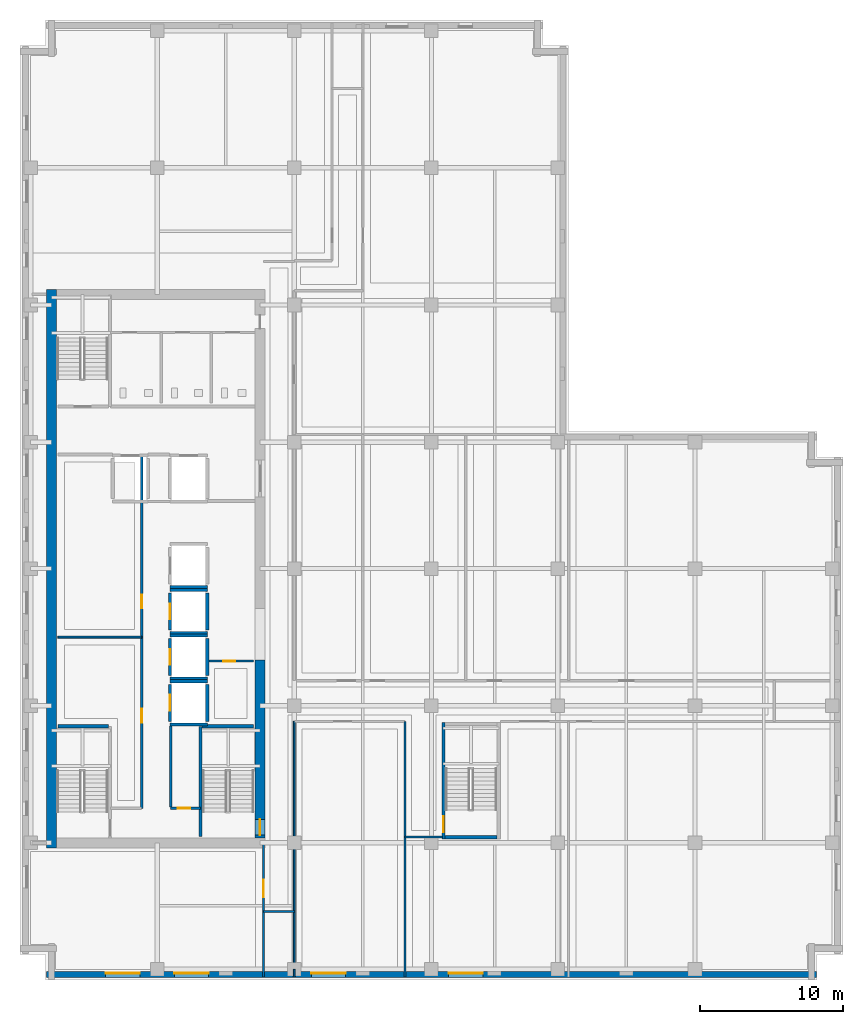
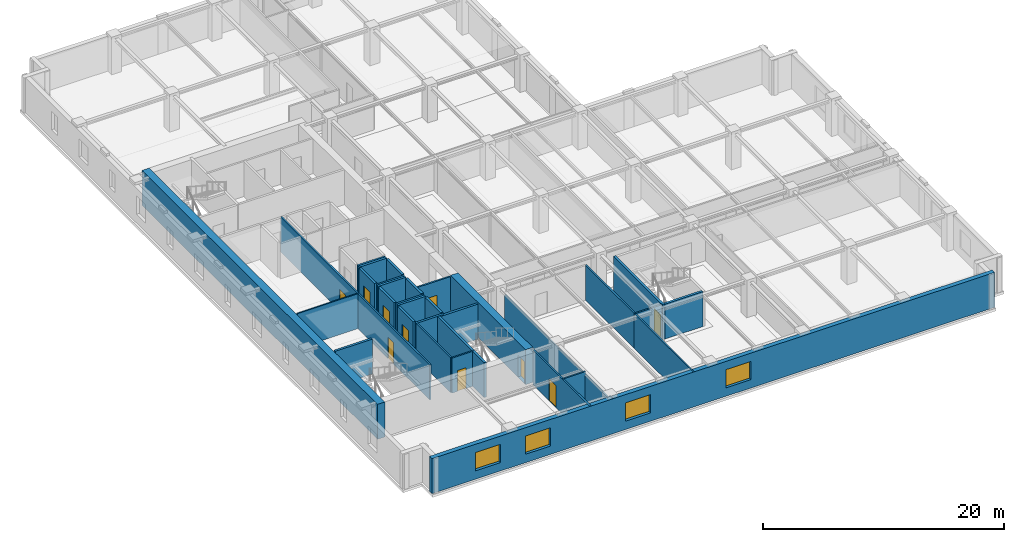
# One storey, part 4 of 13: 33 walls, 10 doors, 4 windows, 14 openings.
"""IFC4 building model written with IfcOpenShell, lengths in metres."""

from ifc_helpers import new_model, si_unit, direction, frame, frame_2d, origin, place, context, subcontext, project, spatial, rectangle, extrude, material, layer, layer_set, type_object, element, fill, save


model = new_model("IFC4")

# Units and contexts
model_context = context("Model", 3, precision=1e-05, world=origin(), true_north=direction((0.0, 1.0)))
body_context = subcontext(model_context, "Body", "Model", "MODEL_VIEW")
ifc_project = project(units=[si_unit("LENGTHUNIT", "METRE"), si_unit("AREAUNIT", "SQUARE_METRE"), si_unit("VOLUMEUNIT", "CUBIC_METRE"), si_unit("PLANEANGLEUNIT", "RADIAN"), si_unit("MASSUNIT", "GRAM", prefix="KILO")], contexts=[model_context])

# Site, building, storey
site_placement = place(None, origin())
site = spatial("IfcSite", under=ifc_project, at=site_placement, CompositionType="ELEMENT")
building_placement = place(site_placement, origin())
building = spatial("IfcBuilding", under=site, at=building_placement, Name="Norrvale University Quadrangle", CompositionType="ELEMENT")
storey_placement = place(building_placement, frame((0.0, 0.0, 178.800048828125)))
storey = spatial("IfcBuildingStorey", under=building, at=storey_placement, Name="L45", CompositionType="ELEMENT", Elevation=178.800048828125)

# Wall, openings, windows
ifc_material_1 = material(Name="Buff Norman Clay Brick Masonry", Category="masonry")
ifc_layer_1 = layer(ifc_material_1, 0.419921875, Name="Buff Norman Clay Brick Masonry")
ifc_layer_set_1 = layer_set([ifc_layer_1], Name="Buff Norman Clay Brick Masonry")
wall_type_1 = type_object("IfcWallType", Name="Wall Buff Brick 420", PredefinedType="SOLIDWALL", material=ifc_layer_set_1)
wall_1_placement = place(storey_placement, frame((1.840087890625, 0.389892578125, 0.0), z_axis=(0.0, 0.0, 1.0), x_axis=(1.0, 0.0, 0.0)))
wall_1 = element("IfcWall", 1, at=wall_1_placement, inside=storey, type_object=wall_type_1, Name="Exterior Brick Facade Wall L45-01.1", PredefinedType="SOLIDWALL", context=body_context, shape_type="SweptSolid", body=[
    extrude(rectangle(XDim=53.919921875, YDim=0.419921875, at=frame_2d((26.9599609375, 0.0))), origin(), (0.0, 0.0, 1.0), 3.5400390625),
])
opening_1_placement = place(wall_1_placement, frame((4.159912109375, 0.0, 0.85009765625)))
opening_1 = element("IfcOpeningElement", 2, at=opening_1_placement, cuts=wall_1, Name="Opening W02", PredefinedType="OPENING", context=body_context, shape_type="SweptSolid", body=[
    extrude(rectangle(XDim=2.39990234375, YDim=1.85009765625, at=frame_2d((1.199951171875, 0.925048828125))), frame((0.0, 0.221923828125, 0.0), z_axis=(0.0, -1.0, 0.0), x_axis=(1.0, 0.0, 0.0)), (0.0, 0.0, 1.0), 0.44384765625),
])
opening_2_placement = place(wall_1_placement, frame((8.9599609375, 0.0, 0.85009765625)))
opening_2 = element("IfcOpeningElement", 3, at=opening_2_placement, cuts=wall_1, Name="Opening W02", PredefinedType="OPENING", context=body_context, shape_type="SweptSolid", body=[
    extrude(rectangle(XDim=2.39990234375, YDim=1.85009765625, at=frame_2d((1.199951171875, 0.925048828125))), frame((0.0, 0.221923828125, 0.0), z_axis=(0.0, -1.0, 0.0), x_axis=(1.0, 0.0, 0.0)), (0.0, 0.0, 1.0), 0.44384765625),
])
opening_3_placement = place(wall_1_placement, frame((18.56005859375, 0.0, 0.85009765625)))
opening_3 = element("IfcOpeningElement", 4, at=opening_3_placement, cuts=wall_1, Name="Opening W02", PredefinedType="OPENING", context=body_context, shape_type="SweptSolid", body=[
    extrude(rectangle(XDim=2.39990234375, YDim=1.85009765625, at=frame_2d((1.199951171875, 0.925048828125))), frame((0.0, 0.221923828125, 0.0), z_axis=(0.0, -1.0, 0.0), x_axis=(1.0, 0.0, 0.0)), (0.0, 0.0, 1.0), 0.44384765625),
])
opening_4_placement = place(wall_1_placement, frame((28.159912109375, 0.0, 0.85009765625)))
opening_4 = element("IfcOpeningElement", 5, at=opening_4_placement, cuts=wall_1, Name="Opening W02", PredefinedType="OPENING", context=body_context, shape_type="SweptSolid", body=[
    extrude(rectangle(XDim=2.39990234375, YDim=1.85009765625, at=frame_2d((1.199951171875, 0.925048828125))), frame((0.0, 0.221923828125, 0.0), z_axis=(0.0, -1.0, 0.0), x_axis=(1.0, 0.0, 0.0)), (0.0, 0.0, 1.0), 0.44384765625),
])
ifc_material_2 = material(Name="Triple Low-E Argon Glazing", Category="glass")
window_type = type_object("IfcWindowType", Name="Window Academic 2400x2300", PartitioningType="TRIPLE_PANEL_VERTICAL", PredefinedType="WINDOW", material=ifc_material_2)
window_1_placement = place(opening_1_placement, origin())
window_1 = element("IfcWindow", 6, at=window_1_placement, inside=storey, type_object=window_type, Name="Window Academic 2400x2300 WIN-L45-E01-1-01", OverallHeight=1.85009765625, OverallWidth=2.39990234375, PartitioningType="TRIPLE_PANEL_VERTICAL", PredefinedType="WINDOW", context=body_context, shape_type="SweptSolid", body=[
    extrude(rectangle(XDim=2.39990234375, YDim=1.85009765625, at=frame_2d((1.199951171875, 0.925048828125))), frame((0.0, 0.110107421875, 0.0), z_axis=(0.0, -1.0, 0.0), x_axis=(1.0, 0.0, 0.0)), (0.0, 0.0, 1.0), 0.06005859375),
])
fill(opening_1, window_1)
window_2_placement = place(opening_2_placement, origin())
window_2 = element("IfcWindow", 7, at=window_2_placement, inside=storey, type_object=window_type, Name="Window Academic 2400x2300 WIN-L45-E01-1-02", OverallHeight=1.85009765625, OverallWidth=2.39990234375, PartitioningType="TRIPLE_PANEL_VERTICAL", PredefinedType="WINDOW", context=body_context, shape_type="SweptSolid", body=[
    extrude(rectangle(XDim=2.39990234375, YDim=1.85009765625, at=frame_2d((1.199951171875, 0.925048828125))), frame((0.0, 0.110107421875, 0.0), z_axis=(0.0, -1.0, 0.0), x_axis=(1.0, 0.0, 0.0)), (0.0, 0.0, 1.0), 0.06005859375),
])
fill(opening_2, window_2)
window_3_placement = place(opening_3_placement, origin())
window_3 = element("IfcWindow", 8, at=window_3_placement, inside=storey, type_object=window_type, Name="Window Academic 2400x2300 WIN-L45-E01-1-03", OverallHeight=1.85009765625, OverallWidth=2.39990234375, PartitioningType="TRIPLE_PANEL_VERTICAL", PredefinedType="WINDOW", context=body_context, shape_type="SweptSolid", body=[
    extrude(rectangle(XDim=2.39990234375, YDim=1.85009765625, at=frame_2d((1.199951171875, 0.925048828125))), frame((0.0, 0.110107421875, 0.0), z_axis=(0.0, -1.0, 0.0), x_axis=(1.0, 0.0, 0.0)), (0.0, 0.0, 1.0), 0.06005859375),
])
fill(opening_3, window_3)
window_4_placement = place(opening_4_placement, origin())
window_4 = element("IfcWindow", 9, at=window_4_placement, inside=storey, type_object=window_type, Name="Window Academic 2400x2300 WIN-L45-E01-1-04", OverallHeight=1.85009765625, OverallWidth=2.39990234375, PartitioningType="TRIPLE_PANEL_VERTICAL", PredefinedType="WINDOW", context=body_context, shape_type="SweptSolid", body=[
    extrude(rectangle(XDim=2.39990234375, YDim=1.85009765625, at=frame_2d((1.199951171875, 0.925048828125))), frame((0.0, 0.110107421875, 0.0), z_axis=(0.0, -1.0, 0.0), x_axis=(1.0, 0.0, 0.0)), (0.0, 0.0, 1.0), 0.06005859375),
])
fill(opening_4, window_4)

# Wall
ifc_material_3 = material(Name="Concrete C60/75", Category="concrete")
ifc_layer_2 = layer(ifc_material_3, 0.699951171875, Name="Concrete C60/75")
ifc_layer_set_2 = layer_set([ifc_layer_2], Name="Concrete C60/75")
wall_type_2 = type_object("IfcWallType", Name="Wall Core 700", PredefinedType="SHEAR", material=ifc_layer_set_2)
wall_2_placement = place(storey_placement, frame((2.199951171875, 9.25, 0.0), z_axis=(0.0, 0.0, 1.0), x_axis=(0.0, 1.0, 0.0)))
element("IfcWall", 10, at=wall_2_placement, inside=storey, type_object=wall_type_2, Name="Tower Core Shear Wall L45-W", PredefinedType="SHEAR", context=body_context, shape_type="SweptSolid", body=[
    extrude(rectangle(XDim=39.10009765625, YDim=0.699951171875, at=frame_2d((19.550048828125, 0.0))), origin(), (0.0, 0.0, 1.0), 3.5400390625),
])

# Wall, opening, door
wall_3_placement = place(storey_placement, frame((16.800048828125, 9.949951171875, 0.0), z_axis=(0.0, 0.0, 1.0), x_axis=(0.0, 1.0, 0.0)))
wall_3 = element("IfcWall", 11, at=wall_3_placement, inside=storey, type_object=wall_type_2, Name="Tower Core Shear Wall L45-E1", PredefinedType="SHEAR", context=body_context, shape_type="SweptSolid", body=[
    extrude(rectangle(XDim=12.449951171875, YDim=0.699951171875, at=frame_2d((6.22509765625, 0.0))), origin(), (0.0, 0.0, 1.0), 3.5400390625),
])
opening_5_placement = place(wall_3_placement, frame((0.18994140625, 0.0, 0.0)))
opening_5 = element("IfcOpeningElement", 12, at=opening_5_placement, cuts=wall_3, Name="Opening D02", PredefinedType="OPENING", context=body_context, shape_type="SweptSolid", body=[
    extrude(rectangle(XDim=1.10009765625, YDim=2.199951171875, at=frame_2d((0.550048828125, 1.10009765625))), frame((0.0, 0.362060546875, 0.0), z_axis=(0.0, -1.0, 0.0), x_axis=(1.0, 0.0, 0.0)), (0.0, 0.0, 1.0), 0.723876953125),
])
ifc_material_4 = material(Name="Hollow Steel 350W Fire Door", Category="steel")
door_type_1 = type_object("IfcDoorType", Name="Door Stair Exit 1100x2200", OperationType="NOTDEFINED", PredefinedType="DOOR", material=ifc_material_4)
door_1_placement = place(opening_5_placement, origin())
door_1 = element("IfcDoor", 13, at=door_1_placement, inside=storey, type_object=door_type_1, Name="Door Stair Exit 1100x2200 DR-L45-ST03", OperationType="SINGLE_SWING_LEFT", OverallHeight=2.199951171875, OverallWidth=1.10009765625, PredefinedType="DOOR", context=body_context, shape_type="SweptSolid", body=[
    extrude(rectangle(XDim=1.10009765625, YDim=2.199951171875, at=frame_2d((0.550048828125, 1.10009765625))), frame((0.0, 0.02490234375, 0.0), z_axis=(0.0, -1.0, 0.0), x_axis=(1.0, 0.0, 0.0)), (0.0, 0.0, 1.0), 0.050048828125),
])
fill(opening_5, door_1)

# Walls
ifc_material_5 = material(Name="Standard Academic Gypsum Partition")
ifc_layer_3 = layer(ifc_material_5, 0.125, Name="Standard Academic Gypsum Partition")
ifc_layer_set_3 = layer_set([ifc_layer_3], Name="Standard Academic Gypsum Partition")
wall_type_3 = type_object("IfcWallType", Name="Wall Gypsum Academic 125", PredefinedType="PARTITIONING", material=ifc_layer_set_3)
wall_4_placement = place(storey_placement, frame((2.64990234375, 24.0, 0.0), z_axis=(0.0, 0.0, 1.0), x_axis=(1.0, 0.0, 0.0)))
element("IfcWall", 14, at=wall_4_placement, inside=storey, type_object=wall_type_3, Name="Interior Partition WL-L45-REC-M", PredefinedType="PARTITIONING", context=body_context, shape_type="SweptSolid", body=[
    extrude(rectangle(XDim=5.8701171875, YDim=0.125, at=frame_2d((2.93505859375, 0.0))), origin(), (0.0, 0.0, 1.0), 3.5400390625),
])
wall_5_placement = place(storey_placement, frame((19.199951171875, 0.219970703125, 0.0), z_axis=(0.0, 0.0, 1.0), x_axis=(0.0, 1.0, 0.0)))
element("IfcWall", 15, at=wall_5_placement, inside=storey, type_object=wall_type_3, Name="Interior Partition WL-L45-SE-W0", PredefinedType="PARTITIONING", context=body_context, shape_type="SweptSolid", body=[
    extrude(rectangle(XDim=0.530029296875, YDim=0.125, at=frame_2d((0.26513671875, 0.0))), origin(), (0.0, 0.0, 1.0), 3.5400390625),
])
wall_6_placement = place(storey_placement, frame((19.199951171875, 0.75, 0.0), z_axis=(0.0, 0.0, 1.0), x_axis=(0.0, 1.0, 0.0)))
element("IfcWall", 16, at=wall_6_placement, inside=storey, type_object=wall_type_3, Name="Interior Partition WL-L45-SE-W0-B2", PredefinedType="PARTITIONING", context=body_context, shape_type="SweptSolid", body=[
    extrude(rectangle(XDim=17.35009765625, YDim=0.125, at=frame_2d((8.675048828125, 0.0))), origin(), (0.0, 0.0, 1.0), 3.23193359375),
])
wall_7_placement = place(storey_placement, frame((26.949951171875, 0.219970703125, 0.0), z_axis=(0.0, 0.0, 1.0), x_axis=(0.0, 1.0, 0.0)))
element("IfcWall", 17, at=wall_7_placement, inside=storey, type_object=wall_type_3, Name="Interior Partition WL-L45-SEP1A", PredefinedType="PARTITIONING", context=body_context, shape_type="SweptSolid", body=[
    extrude(rectangle(XDim=9.780029296875, YDim=0.125, at=frame_2d((4.89013671875, 0.0))), origin(), (0.0, 0.0, 1.0), 3.5400390625),
])

# Wall, opening, door
ifc_material_6 = material(Name="Fire-Rated Gypsum Stud Partition")
ifc_layer_4 = layer(ifc_material_6, 0.14990234375, Name="Fire-Rated Gypsum Stud Partition")
ifc_layer_set_4 = layer_set([ifc_layer_4], Name="Fire-Rated Gypsum Stud Partition")
wall_type_4 = type_object("IfcWallType", Name="Wall Gypsum Corridor 150", PredefinedType="PARTITIONING", material=ifc_layer_set_4)
wall_8_placement = place(storey_placement, frame((10.550048828125, 12.02001953125, 0.0), z_axis=(0.0, 0.0, 1.0), x_axis=(1.0, 0.0, 0.0)))
wall_8 = element("IfcWall", 18, at=wall_8_placement, inside=storey, type_object=wall_type_4, Name="Interior Partition WL-L45-SC-NR", PredefinedType="PARTITIONING", context=body_context, shape_type="SweptSolid", body=[
    extrude(rectangle(XDim=2.079833984375, YDim=0.14990234375, at=frame_2d((1.0400390625, 0.0))), origin(), (0.0, 0.0, 1.0), 3.5400390625),
])
opening_6_placement = place(wall_8_placement, frame((0.5, 0.0, 0.0)))
opening_6 = element("IfcOpeningElement", 19, at=opening_6_placement, cuts=wall_8, Name="Opening D10", PredefinedType="OPENING", context=body_context, shape_type="SweptSolid", body=[
    extrude(rectangle(XDim=0.85009765625, YDim=2.10009765625, at=frame_2d((0.425048828125, 1.050048828125))), frame((0.0, 0.0869140625, 0.0), z_axis=(0.0, -1.0, 0.0), x_axis=(1.0, 0.0, 0.0)), (0.0, 0.0, 1.0), 0.173828125),
])
ifc_material_7 = material(Name="Hollow Steel 350W Riser Fire Door", Category="steel")
door_type_2 = type_object("IfcDoorType", Name="Door Riser 850x2100", OperationType="NOTDEFINED", PredefinedType="DOOR", material=ifc_material_7)
door_2_placement = place(opening_6_placement, origin())
door_2 = element("IfcDoor", 20, at=door_2_placement, inside=storey, type_object=door_type_2, Name="Door Riser 850x2100 DR-L45-IDF", OperationType="SINGLE_SWING_RIGHT", OverallHeight=2.10009765625, OverallWidth=0.85009765625, PredefinedType="DOOR", context=body_context, shape_type="SweptSolid", body=[
    extrude(rectangle(XDim=0.85009765625, YDim=2.10009765625, at=frame_2d((0.425048828125, 1.050048828125))), frame((0.0, 0.02490234375, 0.0), z_axis=(0.0, -1.0, 0.0), x_axis=(1.0, 0.0, 0.0)), (0.0, 0.0, 1.0), 0.050048828125),
])
fill(opening_6, door_2)

# Wall
wall_9_placement = place(storey_placement, frame((10.550048828125, 12.094970703125, 0.0), z_axis=(0.0, 0.0, 1.0), x_axis=(0.0, 1.0, 0.0)))
element("IfcWall", 21, at=wall_9_placement, inside=storey, type_object=wall_type_4, Name="Interior Partition WL-L45-SC-WR", PredefinedType="PARTITIONING", context=body_context, shape_type="SweptSolid", body=[
    extrude(rectangle(XDim=5.679931640625, YDim=0.14990234375, at=frame_2d((2.83984375, 0.0))), origin(), (0.0, 0.0, 1.0), 3.5400390625),
])

# Wall, opening, door
wall_10_placement = place(storey_placement, frame((13.22509765625, 22.320068359375, 0.0), z_axis=(0.0, 0.0, 1.0), x_axis=(1.0, 0.0, 0.0)))
wall_10 = element("IfcWall", 22, at=wall_10_placement, inside=storey, type_object=wall_type_4, Name="Interior Partition WL-L45-JAN-N", PredefinedType="PARTITIONING", context=body_context, shape_type="SweptSolid", body=[
    extrude(rectangle(XDim=3.119873046875, YDim=0.14990234375, at=frame_2d((1.56005859375, 0.0))), origin(), (0.0, 0.0, 1.0), 3.5400390625),
])
opening_7_placement = place(wall_10_placement, frame((1.0, 0.0, 0.0)))
opening_7 = element("IfcOpeningElement", 23, at=opening_7_placement, cuts=wall_10, Name="Opening D10", PredefinedType="OPENING", context=body_context, shape_type="SweptSolid", body=[
    extrude(rectangle(XDim=0.85009765625, YDim=2.10009765625, at=frame_2d((0.425048828125, 1.050048828125))), frame((0.0, 0.0869140625, 0.0), z_axis=(0.0, -1.0, 0.0), x_axis=(1.0, 0.0, 0.0)), (0.0, 0.0, 1.0), 0.173828125),
])
door_3_placement = place(opening_7_placement, origin())
door_3 = element("IfcDoor", 24, at=door_3_placement, inside=storey, type_object=door_type_2, Name="Door Riser 850x2100 DR-L45-JAN", OperationType="SINGLE_SWING_LEFT", OverallHeight=2.10009765625, OverallWidth=0.85009765625, PredefinedType="DOOR", context=body_context, shape_type="SweptSolid", body=[
    extrude(rectangle(XDim=0.85009765625, YDim=2.10009765625, at=frame_2d((0.425048828125, 1.050048828125))), frame((0.0, 0.02490234375, 0.0), z_axis=(0.0, -1.0, 0.0), x_axis=(1.0, 0.0, 0.0)), (0.0, 0.0, 1.0), 0.050048828125),
])
fill(opening_7, door_3)

# Wall, openings, doors
wall_11_placement = place(storey_placement, frame((8.52001953125, 12.02001953125, 0.0), z_axis=(0.0, 0.0, 1.0), x_axis=(0.0, 1.0, 0.0)))
wall_11 = element("IfcWall", 25, at=wall_11_placement, inside=storey, type_object=wall_type_4, Name="Interior Partition WL-L45-REC-E", PredefinedType="PARTITIONING", context=body_context, shape_type="SweptSolid", body=[
    extrude(rectangle(XDim=24.760009765625, YDim=0.14990234375, at=frame_2d((12.3798828125, 0.0))), origin(), (0.0, 0.0, 1.0), 3.5400390625),
])
opening_8_placement = place(wall_11_placement, frame((6.0, 0.0, 0.0)))
opening_8 = element("IfcOpeningElement", 26, at=opening_8_placement, cuts=wall_11, Name="Opening D07", PredefinedType="OPENING", context=body_context, shape_type="SweptSolid", body=[
    extrude(rectangle(XDim=0.949951171875, YDim=2.14990234375, at=frame_2d((0.47509765625, 1.074951171875))), frame((0.0, 0.0869140625, 0.0), z_axis=(0.0, -1.0, 0.0), x_axis=(1.0, 0.0, 0.0)), (0.0, 0.0, 1.0), 0.173828125),
])
opening_9_placement = place(wall_11_placement, frame((14.0, 0.0, 0.0)))
opening_9 = element("IfcOpeningElement", 27, at=opening_9_placement, cuts=wall_11, Name="Opening D07", PredefinedType="OPENING", context=body_context, shape_type="SweptSolid", body=[
    extrude(rectangle(XDim=0.949951171875, YDim=2.14990234375, at=frame_2d((0.47509765625, 1.074951171875))), frame((0.0, 0.0869140625, 0.0), z_axis=(0.0, -1.0, 0.0), x_axis=(1.0, 0.0, 0.0)), (0.0, 0.0, 1.0), 0.173828125),
])
ifc_material_8 = material(Name="Solid-Core Maple Door", Category="wood")
door_type_3 = type_object("IfcDoorType", Name="Door Office 950x2150", OperationType="NOTDEFINED", PredefinedType="DOOR", material=ifc_material_8)
door_4_placement = place(opening_8_placement, origin())
door_4 = element("IfcDoor", 28, at=door_4_placement, inside=storey, type_object=door_type_3, Name="Door Office 950x2150 DR-L45-REC1", OperationType="SINGLE_SWING_LEFT", OverallHeight=2.14990234375, OverallWidth=0.949951171875, PredefinedType="DOOR", context=body_context, shape_type="SweptSolid", body=[
    extrude(rectangle(XDim=0.949951171875, YDim=2.14990234375, at=frame_2d((0.47509765625, 1.074951171875))), frame((0.0, 0.02490234375, 0.0), z_axis=(0.0, -1.0, 0.0), x_axis=(1.0, 0.0, 0.0)), (0.0, 0.0, 1.0), 0.050048828125),
])
fill(opening_8, door_4)
door_5_placement = place(opening_9_placement, origin())
door_5 = element("IfcDoor", 29, at=door_5_placement, inside=storey, type_object=door_type_3, Name="Door Office 950x2150 DR-L45-REC2", OperationType="SINGLE_SWING_RIGHT", OverallHeight=2.14990234375, OverallWidth=0.949951171875, PredefinedType="DOOR", context=body_context, shape_type="SweptSolid", body=[
    extrude(rectangle(XDim=0.949951171875, YDim=2.14990234375, at=frame_2d((0.47509765625, 1.074951171875))), frame((0.0, 0.02490234375, 0.0), z_axis=(0.0, -1.0, 0.0), x_axis=(1.0, 0.0, 0.0)), (0.0, 0.0, 1.0), 0.050048828125),
])
fill(opening_9, door_5)

# Wall
wall_12_placement = place(storey_placement, frame((17.050048828125, 4.800048828125, 0.0), z_axis=(0.0, 0.0, 1.0), x_axis=(1.0, 0.0, 0.0)))
element("IfcWall", 30, at=wall_12_placement, inside=storey, type_object=wall_type_4, Name="Interior Partition WL-L45-CSP-S", PredefinedType="PARTITIONING", context=body_context, shape_type="SweptSolid", body=[
    extrude(rectangle(XDim=2.14990234375, YDim=0.14990234375, at=frame_2d((1.074951171875, 0.0))), origin(), (0.0, 0.0, 1.0), 3.5400390625),
])

# Wall, opening, door
wall_13_placement = place(storey_placement, frame((17.050048828125, 0.219970703125, 0.0), z_axis=(0.0, 0.0, 1.0), x_axis=(0.0, 1.0, 0.0)))
wall_13 = element("IfcWall", 31, at=wall_13_placement, inside=storey, type_object=wall_type_4, Name="Interior Partition WL-L45-SW-E", PredefinedType="PARTITIONING", context=body_context, shape_type="SweptSolid", body=[
    extrude(rectangle(XDim=9.380126953125, YDim=0.14990234375, at=frame_2d((4.68994140625, 0.0))), origin(), (0.0, 0.0, 1.0), 3.5400390625),
])
opening_10_placement = place(wall_13_placement, frame((5.580078125, 0.0, 0.0)))
opening_10 = element("IfcOpeningElement", 32, at=opening_10_placement, cuts=wall_13, Name="Opening D05", PredefinedType="OPENING", context=body_context, shape_type="SweptSolid", body=[
    extrude(rectangle(XDim=1.199951171875, YDim=2.199951171875, at=frame_2d((0.60009765625, 1.10009765625))), frame((0.0, 0.0869140625, 0.0), z_axis=(0.0, -1.0, 0.0), x_axis=(1.0, 0.0, 0.0)), (0.0, 0.0, 1.0), 0.173828125),
])
ifc_material_9 = material(Name="Acoustic Oak Classroom Door", Category="wood")
door_type_4 = type_object("IfcDoorType", Name="Door Classroom 1200x2200", OperationType="NOTDEFINED", PredefinedType="DOOR", material=ifc_material_9)
door_6_placement = place(opening_10_placement, origin())
door_6 = element("IfcDoor", 33, at=door_6_placement, inside=storey, type_object=door_type_4, Name="Door Classroom 1200x2200 DR-L45-SW1", OperationType="SINGLE_SWING_LEFT", OverallHeight=2.199951171875, OverallWidth=1.199951171875, PredefinedType="DOOR", context=body_context, shape_type="SweptSolid", body=[
    extrude(rectangle(XDim=1.199951171875, YDim=2.199951171875, at=frame_2d((0.60009765625, 1.10009765625))), frame((0.0, 0.02490234375, 0.0), z_axis=(0.0, -1.0, 0.0), x_axis=(1.0, 0.0, 0.0)), (0.0, 0.0, 1.0), 0.050048828125),
])
fill(opening_10, door_6)

# Walls
wall_14_placement = place(storey_placement, frame((26.949951171875, 10.0, 0.0), z_axis=(0.0, 0.0, 1.0), x_axis=(0.0, 1.0, 0.0)))
element("IfcWall", 34, at=wall_14_placement, inside=storey, type_object=wall_type_4, Name="Interior Partition WL-L45-SEP1B", PredefinedType="PARTITIONING", context=body_context, shape_type="SweptSolid", body=[
    extrude(rectangle(XDim=8.10009765625, YDim=0.14990234375, at=frame_2d((4.050048828125, 0.0))), origin(), (0.0, 0.0, 1.0), 3.5400390625),
])
wall_15_placement = place(storey_placement, frame((26.949951171875, 10.0, 0.0), z_axis=(0.0, 0.0, 1.0), x_axis=(1.0, 0.0, 0.0)))
element("IfcWall", 35, at=wall_15_placement, inside=storey, type_object=wall_type_4, Name="Interior Partition WL-L45-SEP1C", PredefinedType="PARTITIONING", context=body_context, shape_type="SweptSolid", body=[
    extrude(rectangle(XDim=2.630126953125, YDim=0.14990234375, at=frame_2d((1.31494140625, 0.0))), origin(), (0.0, 0.0, 1.0), 3.5400390625),
])
ifc_material_10 = material(Name="Concrete Blockwork 20 MPa Fire Shaft", Category="masonry")
ifc_layer_5 = layer(ifc_material_10, 0.219970703125, Name="Concrete Blockwork 20 MPa Fire Shaft")
ifc_layer_set_5 = layer_set([ifc_layer_5], Name="Concrete Blockwork 20 MPa Fire Shaft")
wall_type_5 = type_object("IfcWallType", Name="Wall Shaft 220", PredefinedType="SOLIDWALL", material=ifc_layer_set_5)
wall_16_placement = place(storey_placement, frame((2.64990234375, 17.760009765625, 0.0), z_axis=(0.0, 0.0, 1.0), x_axis=(1.0, 0.0, 0.0)))
element("IfcWall", 36, at=wall_16_placement, inside=storey, type_object=wall_type_5, Name="Stair ST-01 North Shaft Wall L45", PredefinedType="SOLIDWALL", context=body_context, shape_type="SweptSolid", body=[
    extrude(rectangle(XDim=3.550048828125, YDim=0.219970703125, at=frame_2d((1.77490234375, 0.0))), origin(), (0.0, 0.0, 1.0), 3.5400390625),
])
wall_17_placement = place(storey_placement, frame((12.639892578125, 10.050048828125, 0.0), z_axis=(0.0, 0.0, 1.0), x_axis=(0.0, 1.0, 0.0)))
element("IfcWall", 37, at=wall_17_placement, inside=storey, type_object=wall_type_5, Name="Stair ST-03 West Shaft Wall L45", PredefinedType="SOLIDWALL", context=body_context, shape_type="SweptSolid", body=[
    extrude(rectangle(XDim=7.7099609375, YDim=0.219970703125, at=frame_2d((3.85498046875, 0.0))), origin(), (0.0, 0.0, 1.0), 3.5400390625),
])
wall_18_placement = place(storey_placement, frame((12.75, 17.760009765625, 0.0), z_axis=(0.0, 0.0, 1.0), x_axis=(1.0, 0.0, 0.0)))
element("IfcWall", 38, at=wall_18_placement, inside=storey, type_object=wall_type_5, Name="Stair ST-03 North Shaft Wall L45", PredefinedType="SOLIDWALL", context=body_context, shape_type="SweptSolid", body=[
    extrude(rectangle(XDim=3.60009765625, YDim=0.219970703125, at=frame_2d((1.800048828125, 0.0))), origin(), (0.0, 0.0, 1.0), 3.5400390625),
])
wall_19_placement = place(storey_placement, frame((29.75, 9.989990234375, 0.0), z_axis=(0.0, 0.0, 1.0), x_axis=(1.0, 0.0, 0.0)))
element("IfcWall", 39, at=wall_19_placement, inside=storey, type_object=wall_type_5, Name="Stair ST-04 South Shaft Wall L45", PredefinedType="SOLIDWALL", context=body_context, shape_type="SweptSolid", body=[
    extrude(rectangle(XDim=3.64990234375, YDim=0.219970703125, at=frame_2d((1.824951171875, 0.0))), origin(), (0.0, 0.0, 1.0), 3.5400390625),
])

# Wall, opening, door
wall_20_placement = place(storey_placement, frame((29.639892578125, 9.8798828125, 0.0), z_axis=(0.0, 0.0, 1.0), x_axis=(0.0, 1.0, 0.0)))
wall_20 = element("IfcWall", 40, at=wall_20_placement, inside=storey, type_object=wall_type_5, Name="Stair ST-04 West Shaft Wall L45", PredefinedType="SOLIDWALL", context=body_context, shape_type="SweptSolid", body=[
    extrude(rectangle(XDim=8.14013671875, YDim=0.219970703125, at=frame_2d((4.070068359375, 0.0))), origin(), (0.0, 0.0, 1.0), 3.5400390625),
])
opening_11_placement = place(wall_20_placement, frame((0.469970703125, 0.0, 0.0)))
opening_11 = element("IfcOpeningElement", 41, at=opening_11_placement, cuts=wall_20, Name="Opening D02", PredefinedType="OPENING", context=body_context, shape_type="SweptSolid", body=[
    extrude(rectangle(XDim=1.10009765625, YDim=2.199951171875, at=frame_2d((0.550048828125, 1.10009765625))), frame((0.0, 0.1220703125, 0.0), z_axis=(0.0, -1.0, 0.0), x_axis=(1.0, 0.0, 0.0)), (0.0, 0.0, 1.0), 0.243896484375),
])
door_7_placement = place(opening_11_placement, frame((1.10009765625, 0.0, 0.0), z_axis=(0.0, 0.0, 1.0), x_axis=(-1.0, 0.0, 0.0)))
door_7 = element("IfcDoor", 42, at=door_7_placement, inside=storey, type_object=door_type_1, Name="Door Stair Exit 1100x2200 DR-L45-ST04", OperationType="SINGLE_SWING_RIGHT", OverallHeight=2.199951171875, OverallWidth=1.10009765625, PredefinedType="DOOR", context=body_context, shape_type="SweptSolid", body=[
    extrude(rectangle(XDim=1.10009765625, YDim=2.199951171875, at=frame_2d((0.550048828125, 1.10009765625))), frame((0.0, 0.02490234375, 0.0), z_axis=(0.0, -1.0, 0.0), x_axis=(1.0, 0.0, 0.0)), (0.0, 0.0, 1.0), 0.050048828125),
])
fill(opening_11, door_7)

wall_21_placement = place(storey_placement, frame((10.489990234375, 18.110107421875, 0.0), z_axis=(0.0, 0.0, 1.0), x_axis=(0.0, 1.0, 0.0)))
wall_21 = element("IfcWall", 43, at=wall_21_placement, inside=storey, type_object=wall_type_5, Name="Hoistway PL-05 West Wall L45", PredefinedType="SOLIDWALL", context=body_context, shape_type="SweptSolid", body=[
    extrude(rectangle(XDim=2.579833984375, YDim=0.219970703125, at=frame_2d((1.2900390625, 0.0))), origin(), (0.0, 0.0, 1.0), 3.5400390625),
])
opening_12_placement = place(wall_21_placement, frame((0.739990234375, 0.0, 0.0)))
opening_12 = element("IfcOpeningElement", 44, at=opening_12_placement, cuts=wall_21, Name="Opening LD1", PredefinedType="OPENING", context=body_context, shape_type="SweptSolid", body=[
    extrude(rectangle(XDim=1.10009765625, YDim=2.199951171875, at=frame_2d((0.550048828125, 1.10009765625))), frame((0.0, 0.1220703125, 0.0), z_axis=(0.0, -1.0, 0.0), x_axis=(1.0, 0.0, 0.0)), (0.0, 0.0, 1.0), 0.243896484375),
])
ifc_material_11 = material(Name="Stainless Steel 316L Lift Landing Door", Category="steel")
door_type_5 = type_object("IfcDoorType", Name="Door Lift Landing 1100x2200", OperationType="DOUBLE_DOOR_SLIDING", PredefinedType="DOOR", material=ifc_material_11)
door_8_placement = place(opening_12_placement, origin())
door_8 = element("IfcDoor", 45, at=door_8_placement, inside=storey, type_object=door_type_5, Name="Elevator Landing Door DR-L45-PL-05", OperationType="DOUBLE_DOOR_SLIDING", OverallHeight=2.199951171875, OverallWidth=1.10009765625, PredefinedType="DOOR", context=body_context, shape_type="SweptSolid", body=[
    extrude(rectangle(XDim=1.10009765625, YDim=2.199951171875, at=frame_2d((0.550048828125, 1.10009765625))), frame((0.0, 0.02490234375, 0.0), z_axis=(0.0, -1.0, 0.0), x_axis=(1.0, 0.0, 0.0)), (0.0, 0.0, 1.0), 0.050048828125),
])
fill(opening_12, door_8)

# Walls
wall_22_placement = place(storey_placement, frame((13.110107421875, 18.110107421875, 0.0), z_axis=(0.0, 0.0, 1.0), x_axis=(0.0, 1.0, 0.0)))
element("IfcWall", 46, at=wall_22_placement, inside=storey, type_object=wall_type_5, Name="Hoistway PL-05 East Wall L45", PredefinedType="SOLIDWALL", context=body_context, shape_type="SweptSolid", body=[
    extrude(rectangle(XDim=2.579833984375, YDim=0.219970703125, at=frame_2d((1.2900390625, 0.0))), origin(), (0.0, 0.0, 1.0), 3.5400390625),
])
for number, where, z_axis, x_axis, name in (
    (47, (10.489990234375, 17.889892578125, 0.0), (0.0, 0.0, 1.0), (1.0, 0.0, 0.0), "Hoistway PL-05 South Wall L45"),
    (48, (10.489990234375, 20.909912109375, 0.0), (0.0, 0.0, 1.0), (1.0, 0.0, 0.0), "Hoistway PL-05 North Wall L45"),
):
    element("IfcWall", number, at=place(storey_placement, frame(where, z_axis=z_axis, x_axis=x_axis)), inside=storey, type_object=wall_type_5, Name=name, PredefinedType="SOLIDWALL", context=body_context, shape_type="SweptSolid", body=[
        extrude(rectangle(XDim=2.6201171875, YDim=0.219970703125, at=frame_2d((1.31005859375, 0.0))), origin(), (0.0, 0.0, 1.0), 3.5400390625),
    ])

# Wall, opening, door
wall_23_placement = place(storey_placement, frame((10.489990234375, 21.31005859375, 0.0), z_axis=(0.0, 0.0, 1.0), x_axis=(0.0, 1.0, 0.0)))
wall_23 = element("IfcWall", 49, at=wall_23_placement, inside=storey, type_object=wall_type_5, Name="Hoistway PL-06 West Wall L45", PredefinedType="SOLIDWALL", context=body_context, shape_type="SweptSolid", body=[
    extrude(rectangle(XDim=2.579833984375, YDim=0.219970703125, at=frame_2d((1.2900390625, 0.0))), origin(), (0.0, 0.0, 1.0), 3.5400390625),
])
opening_13_placement = place(wall_23_placement, frame((0.739990234375, 0.0, 0.0)))
opening_13 = element("IfcOpeningElement", 50, at=opening_13_placement, cuts=wall_23, Name="Opening LD1", PredefinedType="OPENING", context=body_context, shape_type="SweptSolid", body=[
    extrude(rectangle(XDim=1.10009765625, YDim=2.199951171875, at=frame_2d((0.550048828125, 1.10009765625))), frame((0.0, 0.1220703125, 0.0), z_axis=(0.0, -1.0, 0.0), x_axis=(1.0, 0.0, 0.0)), (0.0, 0.0, 1.0), 0.243896484375),
])
door_9_placement = place(opening_13_placement, origin())
door_9 = element("IfcDoor", 51, at=door_9_placement, inside=storey, type_object=door_type_5, Name="Elevator Landing Door DR-L45-PL-06", OperationType="DOUBLE_DOOR_SLIDING", OverallHeight=2.199951171875, OverallWidth=1.10009765625, PredefinedType="DOOR", context=body_context, shape_type="SweptSolid", body=[
    extrude(rectangle(XDim=1.10009765625, YDim=2.199951171875, at=frame_2d((0.550048828125, 1.10009765625))), frame((0.0, 0.02490234375, 0.0), z_axis=(0.0, -1.0, 0.0), x_axis=(1.0, 0.0, 0.0)), (0.0, 0.0, 1.0), 0.050048828125),
])
fill(opening_13, door_9)

# Walls
wall_24_placement = place(storey_placement, frame((13.110107421875, 21.31005859375, 0.0), z_axis=(0.0, 0.0, 1.0), x_axis=(0.0, 1.0, 0.0)))
element("IfcWall", 52, at=wall_24_placement, inside=storey, type_object=wall_type_5, Name="Hoistway PL-06 East Wall L45", PredefinedType="SOLIDWALL", context=body_context, shape_type="SweptSolid", body=[
    extrude(rectangle(XDim=2.579833984375, YDim=0.219970703125, at=frame_2d((1.2900390625, 0.0))), origin(), (0.0, 0.0, 1.0), 3.5400390625),
])
for number, where, z_axis, x_axis, name in (
    (53, (10.489990234375, 21.090087890625, 0.0), (0.0, 0.0, 1.0), (1.0, 0.0, 0.0), "Hoistway PL-06 South Wall L45"),
    (54, (10.489990234375, 24.110107421875, 0.0), (0.0, 0.0, 1.0), (1.0, 0.0, 0.0), "Hoistway PL-06 North Wall L45"),
):
    element("IfcWall", number, at=place(storey_placement, frame(where, z_axis=z_axis, x_axis=x_axis)), inside=storey, type_object=wall_type_5, Name=name, PredefinedType="SOLIDWALL", context=body_context, shape_type="SweptSolid", body=[
        extrude(rectangle(XDim=2.6201171875, YDim=0.219970703125, at=frame_2d((1.31005859375, 0.0))), origin(), (0.0, 0.0, 1.0), 3.5400390625),
    ])

# Wall, opening, door
wall_25_placement = place(storey_placement, frame((10.489990234375, 24.510009765625, 0.0), z_axis=(0.0, 0.0, 1.0), x_axis=(0.0, 1.0, 0.0)))
wall_25 = element("IfcWall", 55, at=wall_25_placement, inside=storey, type_object=wall_type_5, Name="Hoistway PL-07 West Wall L45", PredefinedType="SOLIDWALL", context=body_context, shape_type="SweptSolid", body=[
    extrude(rectangle(XDim=2.580078125, YDim=0.219970703125, at=frame_2d((1.2900390625, 0.0))), origin(), (0.0, 0.0, 1.0), 3.5400390625),
])
opening_14_placement = place(wall_25_placement, frame((0.739990234375, 0.0, 0.0)))
opening_14 = element("IfcOpeningElement", 56, at=opening_14_placement, cuts=wall_25, Name="Opening LD1", PredefinedType="OPENING", context=body_context, shape_type="SweptSolid", body=[
    extrude(rectangle(XDim=1.10009765625, YDim=2.199951171875, at=frame_2d((0.550048828125, 1.10009765625))), frame((0.0, 0.1220703125, 0.0), z_axis=(0.0, -1.0, 0.0), x_axis=(1.0, 0.0, 0.0)), (0.0, 0.0, 1.0), 0.243896484375),
])
door_10_placement = place(opening_14_placement, origin())
door_10 = element("IfcDoor", 57, at=door_10_placement, inside=storey, type_object=door_type_5, Name="Elevator Landing Door DR-L45-PL-07", OperationType="DOUBLE_DOOR_SLIDING", OverallHeight=2.199951171875, OverallWidth=1.10009765625, PredefinedType="DOOR", context=body_context, shape_type="SweptSolid", body=[
    extrude(rectangle(XDim=1.10009765625, YDim=2.199951171875, at=frame_2d((0.550048828125, 1.10009765625))), frame((0.0, 0.02490234375, 0.0), z_axis=(0.0, -1.0, 0.0), x_axis=(1.0, 0.0, 0.0)), (0.0, 0.0, 1.0), 0.050048828125),
])
fill(opening_14, door_10)

# Walls
wall_26_placement = place(storey_placement, frame((13.110107421875, 24.510009765625, 0.0), z_axis=(0.0, 0.0, 1.0), x_axis=(0.0, 1.0, 0.0)))
element("IfcWall", 58, at=wall_26_placement, inside=storey, type_object=wall_type_5, Name="Hoistway PL-07 East Wall L45", PredefinedType="SOLIDWALL", context=body_context, shape_type="SweptSolid", body=[
    extrude(rectangle(XDim=2.580078125, YDim=0.219970703125, at=frame_2d((1.2900390625, 0.0))), origin(), (0.0, 0.0, 1.0), 3.5400390625),
])
for number, where, z_axis, x_axis, name in (
    (59, (10.489990234375, 24.2900390625, 0.0), (0.0, 0.0, 1.0), (1.0, 0.0, 0.0), "Hoistway PL-07 South Wall L45"),
    (60, (10.489990234375, 27.31005859375, 0.0), (0.0, 0.0, 1.0), (1.0, 0.0, 0.0), "Hoistway PL-07 North Wall L45"),
    (61, (10.489990234375, 27.489990234375, 0.0), (0.0, 0.0, 1.0), (1.0, 0.0, 0.0), "Hoistway PL-08 South Wall L45"),
):
    element("IfcWall", number, at=place(storey_placement, frame(where, z_axis=z_axis, x_axis=x_axis)), inside=storey, type_object=wall_type_5, Name=name, PredefinedType="SOLIDWALL", context=body_context, shape_type="SweptSolid", body=[
        extrude(rectangle(XDim=2.6201171875, YDim=0.219970703125, at=frame_2d((1.31005859375, 0.0))), origin(), (0.0, 0.0, 1.0), 3.5400390625),
    ])

save(model, "model.ifc")
